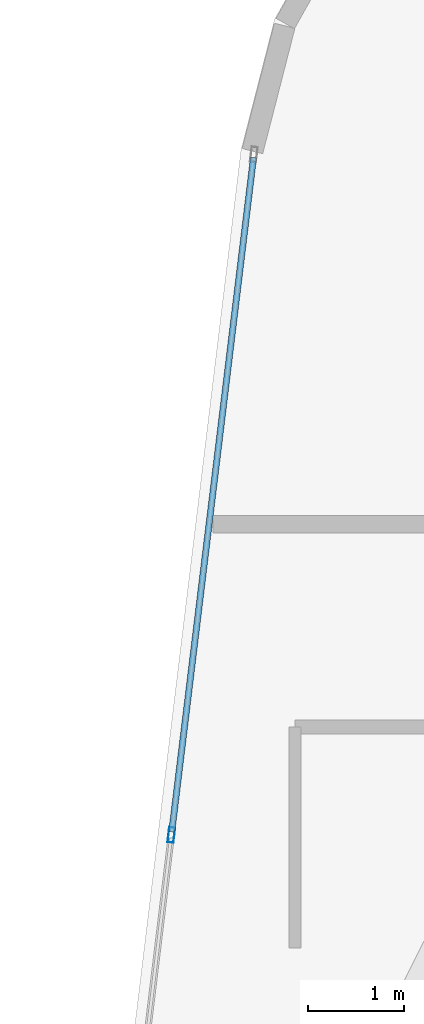
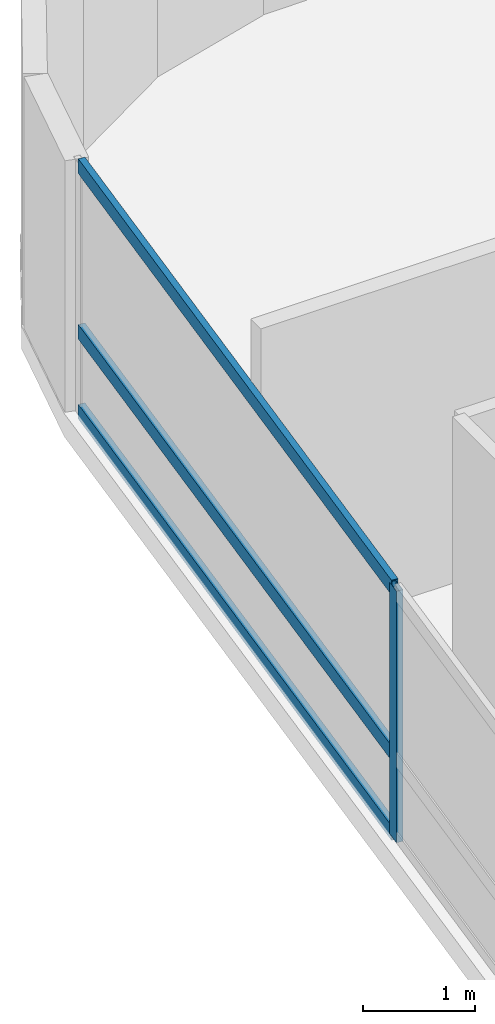
# One storey, part 10 of 26: 4 members, 1 element without a shape of its own.
"""IFC4 building model written with IfcOpenShell, lengths in metres."""

import ifcopenshell
import ifcopenshell.guid

model = None  # the IFC model being written
_history = None  # IfcOwnerHistory: only IFC2X3 demands one
_inside = {}  # id of a spatial element -> (the spatial element, [elements in it])
_under = {}  # id of a project, library or spatial element -> (it, [spatial elements below it])
_declared = {}  # id of a project -> (the project, [libraries it declares])
_typed = {}  # id of a type object -> (the type object, [elements of that type])
_made_of = {}  # id of a material, layer set ... -> (it, [elements and type objects made of it])


def new_model(schema):
    """Start an empty IFC model of exactly this schema.

    Asked for "IFC4X3", IfcOpenShell would pick the latest addendum, in which some entities
    have other attributes; the version numbers below select the first issue.
    IFC2X3 requires an IfcOwnerHistory on every rooted entity: one is made here for all.
    """
    global model, _history
    if schema == "IFC4X3":
        model = ifcopenshell.file(schema_version=(4, 3, 0, 0))
    else:
        model = ifcopenshell.file(schema=schema)
    _inside.clear()
    _under.clear()
    _declared.clear()
    _typed.clear()
    _made_of.clear()
    _history = None
    if model.schema == "IFC2X3":
        org = make("IfcOrganization", Name="unknown")
        user = make(
            "IfcPersonAndOrganization",
            ThePerson=make("IfcPerson", FamilyName="unknown"),
            TheOrganization=org,
        )
        app = make(
            "IfcApplication",
            ApplicationDeveloper=org,
            Version="unknown",
            ApplicationFullName="unknown",
            ApplicationIdentifier="unknown",
        )
        _history = make(
            "IfcOwnerHistory",
            OwningUser=user,
            OwningApplication=app,
            ChangeAction="ADDED",
            CreationDate=0,
        )
    return model


def make(cls, **values):
    """One entity of the class cls with the attributes given. An attribute that is None is left unset."""
    return model.create_entity(
        cls, **{name: value for name, value in values.items() if value is not None}
    )


def rooted(cls, **values):
    """An entity with a GlobalId (a new one), such as an element, a storey or a relation."""
    return make(cls, GlobalId=ifcopenshell.guid.new(), OwnerHistory=_history, **values)


def si_unit(unit_type, name, prefix=None):
    """IfcSIUnit, for example si_unit("LENGTHUNIT", "METRE", prefix="MILLI")."""
    return make("IfcSIUnit", UnitType=unit_type, Prefix=prefix, Name=name)


def assignment(units):
    """IfcUnitAssignment: the units of a project."""
    return None if units is None else make("IfcUnitAssignment", Units=units)


def point(xyz):
    """IfcCartesianPoint."""
    return None if xyz is None else make("IfcCartesianPoint", Coordinates=xyz)


def direction(xyz):
    """IfcDirection."""
    return None if xyz is None else make("IfcDirection", DirectionRatios=xyz)


def frame(location, z_axis=None, x_axis=None):
    """IfcAxis2Placement3D, a coordinate frame: its origin and axes. An axis left out is left unset."""
    return make(
        "IfcAxis2Placement3D",
        Location=point(location),
        Axis=direction(z_axis),
        RefDirection=direction(x_axis),
    )


def frame_2d(location, x_axis=None):
    """IfcAxis2Placement2D, a coordinate frame in the plane: its origin and x axis."""
    return make(
        "IfcAxis2Placement2D", Location=point(location), RefDirection=direction(x_axis)
    )


def origin():
    """The frame at (0, 0, 0) with its axes left unset."""
    return frame((0.0, 0.0, 0.0))


def origin_2d():
    """The frame at (0, 0) in the plane with its x axis left unset."""
    return frame_2d((0.0, 0.0))


def place(relative_to, where):
    """IfcLocalPlacement: puts the frame where relative to a parent placement (None: the world)."""
    return make(
        "IfcLocalPlacement", PlacementRelTo=relative_to, RelativePlacement=where
    )


def context(
    kind, dimensions, precision=None, world=None, true_north=None, identifier=None
):
    """IfcGeometricRepresentationContext, for example the 3D "Model" context."""
    return make(
        "IfcGeometricRepresentationContext",
        ContextIdentifier=identifier,
        ContextType=kind,
        CoordinateSpaceDimension=dimensions,
        Precision=precision,
        WorldCoordinateSystem=world,
        TrueNorth=true_north,
    )


def subcontext(parent, identifier, kind, view, scale=None):
    """IfcGeometricRepresentationSubContext, for example "Body" below "Model"."""
    return make(
        "IfcGeometricRepresentationSubContext",
        ContextIdentifier=identifier,
        ContextType=kind,
        ParentContext=parent,
        TargetScale=scale,
        TargetView=view,
    )


def project(units=None, contexts=None):
    """IfcProject with its units and contexts."""
    return rooted(
        "IfcProject",
        Name="project",
        RepresentationContexts=contexts,
        UnitsInContext=assignment(units),
    )


def spatial(cls, under=None, at=None, **own):
    """A site, building, storey or space (cls), placed at a placement, below another one or the project."""
    s = rooted(cls, ObjectPlacement=at, **own)
    if under is not None:
        _under.setdefault(under.id(), (under, []))[1].append(s)
    return s


def profile(cls, at=None, kind="AREA", **sizes):
    """A parametric profile (cls). Its sizes go by their IFC names, for example OverallWidth=200.0."""
    return make(cls, ProfileType=kind, Position=at, **sizes)


def hollow_rectangle(**sizes):
    """IfcRectangleHollowProfileDef."""
    return profile("IfcRectangleHollowProfileDef", **sizes)


def extrude(swept, where, along, depth):
    """IfcExtrudedAreaSolid: the profile swept, set in the frame where, extruded along a direction by depth."""
    return make(
        "IfcExtrudedAreaSolid",
        SweptArea=swept,
        Position=where,
        ExtrudedDirection=direction(along),
        Depth=depth,
    )


def shape(context_of_items, identifier, shape_type, items):
    """IfcShapeRepresentation: the items that make up one representation, for example the "Body"."""
    return make(
        "IfcShapeRepresentation",
        ContextOfItems=context_of_items,
        RepresentationIdentifier=identifier,
        RepresentationType=shape_type,
        Items=items,
    )


def material(Name=None, Category=None):
    """IfcMaterial."""
    return make("IfcMaterial", Name=Name, Category=Category)


def layer(
    of_material, thickness, ventilated=None, Name=None, Category=None, Priority=None
):
    """IfcMaterialLayer: one layer of a wall or slab, of a material (None: an air gap)."""
    return make(
        "IfcMaterialLayer",
        Material=of_material,
        LayerThickness=thickness,
        IsVentilated=ventilated,
        Name=Name,
        Category=Category,
        Priority=Priority,
    )


def layer_set(layers, Name=None):
    """IfcMaterialLayerSet."""
    return make("IfcMaterialLayerSet", MaterialLayers=layers, LayerSetName=Name)


def material_profile(
    of_material, cross_section, Name=None, Category=None, Priority=None
):
    """IfcMaterialProfile: a cross section and its material."""
    return make(
        "IfcMaterialProfile",
        Name=Name,
        Material=of_material,
        Profile=cross_section,
        Priority=Priority,
        Category=Category,
    )


def profile_set(profiles, Name=None, composite=None):
    """IfcMaterialProfileSet."""
    return make(
        "IfcMaterialProfileSet",
        Name=Name,
        MaterialProfiles=profiles,
        CompositeProfile=composite,
    )


def made_of(thing, what):
    """Note that an element or type object is made of a material, layer set ...; save() writes the relation."""
    if what is not None:
        _made_of.setdefault(what.id(), (what, []))[1].append(thing)
    return thing


def type_object(cls, material=None, **own):
    """A type object (cls), such as IfcWallType, which elements share."""
    return made_of(rooted(cls, **own), material)


def element(
    cls,
    number,
    at=None,
    inside=None,
    cuts=None,
    type_object=None,
    material=None,
    context=None,
    identifier="Body",
    shape_type=None,
    held_by="IfcProductDefinitionShape",
    body=None,
    shapes=None,
    **own,
):
    """One element of the class cls, such as IfcWall. Its Tag is "e" and its number.

    at: its placement. inside: the storey or other place that contains it. cuts: it is an
    opening in that element (IfcRelVoidsElement). A single representation is given by context,
    identifier, shape_type and body (its items); several are given by shapes. held_by: the class
    of the entity that holds the representations. save() writes the other relations.
    """
    e = rooted(cls, Tag="e%d" % number, ObjectPlacement=at, **own)
    if body is not None:
        shapes = [shape(context, identifier, shape_type, body)]
    if shapes is not None:
        e.Representation = make(held_by, Representations=shapes)
    if inside is not None:
        _inside.setdefault(inside.id(), (inside, []))[1].append(e)
    if cuts is not None:
        rooted(
            "IfcRelVoidsElement", RelatingBuildingElement=cuts, RelatedOpeningElement=e
        )
    if type_object is not None:
        _typed.setdefault(type_object.id(), (type_object, []))[1].append(e)
    return made_of(e, material)


def aggregate(whole, parts):
    """IfcRelAggregates: a whole, such as a stair, and the parts it consists of."""
    return rooted("IfcRelAggregates", RelatingObject=whole, RelatedObjects=parts)


def save(model, path):
    """Write the relations noted so far, then the file.

    IfcRelAggregates (storeys below a building ...), IfcRelContainedInSpatialStructure (elements
    in a storey), IfcRelDefinesByType, IfcRelAssociatesMaterial and IfcRelDeclares: one each for
    every whole, place, type object, material and project.
    """
    for whole, parts in _under.values():
        aggregate(whole, parts)
    for where, things in _inside.values():
        rooted(
            "IfcRelContainedInSpatialStructure",
            RelatedElements=things,
            RelatingStructure=where,
        )
    for kind, things in _typed.values():
        rooted("IfcRelDefinesByType", RelatedObjects=things, RelatingType=kind)
    for what, things in _made_of.values():
        rooted("IfcRelAssociatesMaterial", RelatedObjects=things, RelatingMaterial=what)
    for by, libraries in _declared.values():
        rooted("IfcRelDeclares", RelatingContext=by, RelatedDefinitions=libraries)
    model.write(path)


model = new_model("IFC4")

# Units and contexts
model_context = context("Model", 3, precision=1e-05, world=origin(), true_north=direction((0.0, 1.0)))
body_context = subcontext(model_context, "Body", "Model", "MODEL_VIEW")
ifc_project = project(units=[si_unit("LENGTHUNIT", "METRE"), si_unit("AREAUNIT", "SQUARE_METRE"), si_unit("VOLUMEUNIT", "CUBIC_METRE"), si_unit("PLANEANGLEUNIT", "RADIAN"), si_unit("MASSUNIT", "GRAM", prefix="KILO")], contexts=[model_context])

# Site, building, storey
site_placement = place(None, origin())
site = spatial("IfcSite", under=ifc_project, at=site_placement, CompositionType="ELEMENT")
building_placement = place(site_placement, origin())
building = spatial("IfcBuilding", under=site, at=building_placement, Name="Varnelok Gate Tower", CompositionType="ELEMENT")
storey_placement = place(building_placement, frame((0.0, 0.0, 143.89990234375)))
storey = spatial("IfcBuildingStorey", under=building, at=storey_placement, Name="L36", CompositionType="ELEMENT", Elevation=143.89990234375)

# Curtain wall, members
ifc_material = material(Name="Anodized Aluminum Alloy 6063-T6", Category="aluminium")
ifc_layer = layer(ifc_material, 0.179931640625)
ifc_layer_set = layer_set([ifc_layer], Name="Anodized Aluminum Alloy 6063-T6")
curtain_wall_type = type_object("IfcCurtainWallType", Name="CW3-HOTEL-VISION", PredefinedType="USERDEFINED", material=ifc_layer_set)
curtain_wall_placement = place(storey_placement, origin())
curtain_wall = element("IfcCurtainWall", 1, at=curtain_wall_placement, inside=storey, type_object=curtain_wall_type, Name="L36 West End Vision Curtain Wall", ObjectType="UNITISED CURTAIN WALL", PredefinedType="USERDEFINED")
ifc_material_profile_1 = material_profile(ifc_material, hollow_rectangle(XDim=0.06494140625, YDim=0.159912109375, WallThickness=0.00390625, at=origin_2d()), Name="ALU160X65X4")
ifc_profile_set_1 = profile_set([ifc_material_profile_1], Name="Anodized Aluminum Alloy 6063-T6")
member_type_1 = type_object("IfcMemberType", Name="CW-MULL-160", PredefinedType="MULLION", material=ifc_profile_set_1)
member_1_placement = place(storey_placement, frame((3.708984375, 40.4814453125, 0.0), z_axis=(0.0, 0.0, 1.0), x_axis=(-0.99273188146, 0.120347046212, 0.0)))
member_1 = element("IfcMember", 2, at=member_1_placement, type_object=member_type_1, Name="CW3 mullion 5", PredefinedType="MULLION", context=body_context, shape_type="SweptSolid", body=[
    extrude(hollow_rectangle(XDim=0.06494140625, YDim=0.159912109375, WallThickness=0.00390625, at=origin_2d()), origin(), (0.0, 0.0, 1.0), 2.72998046875),
])
ifc_material_profile_2 = material_profile(ifc_material, hollow_rectangle(XDim=0.06494140625, YDim=0.159912109375, WallThickness=0.00390625, at=origin_2d()), Name="ALU160X65X4")
ifc_profile_set_2 = profile_set([ifc_material_profile_2], Name="Anodized Aluminum Alloy 6063-T6")
member_type_2 = type_object("IfcMemberType", Name="CW-TRAN-160", PredefinedType="USERDEFINED", material=ifc_profile_set_2)
member_2_placement = place(storey_placement, frame((3.712890625, 40.513671875, 0.03271484375), z_axis=(0.120374481497, 0.992728555147, 0.0), x_axis=(-0.992728555147, 0.120374481497, 0.0)))
member_2 = element("IfcMember", 3, at=member_2_placement, type_object=member_type_2, Name="CW3 transom 5.1", ObjectType="TRANSOM", PredefinedType="USERDEFINED", context=body_context, shape_type="SweptSolid", body=[
    extrude(hollow_rectangle(XDim=0.06494140625, YDim=0.159912109375, WallThickness=0.00390625, at=origin_2d()), origin(), (0.0, 0.0, 1.0), 7.102783203125),
])
member_3_placement = place(storey_placement, frame((3.712890625, 40.513671875, 0.900146484375), z_axis=(0.120374481497, 0.992728555147, 0.0), x_axis=(-0.992728555147, 0.120374481497, 0.0)))
member_3 = element("IfcMember", 4, at=member_3_placement, type_object=member_type_2, Name="CW3 transom 5.2", ObjectType="TRANSOM", PredefinedType="USERDEFINED", context=body_context, shape_type="SweptSolid", body=[
    extrude(hollow_rectangle(XDim=0.06494140625, YDim=0.159912109375, WallThickness=0.00390625, at=origin_2d()), origin(), (0.0, 0.0, 1.0), 7.102783203125),
])
member_4_placement = place(storey_placement, frame((3.712890625, 40.513671875, 2.697509765625), z_axis=(0.120374481497, 0.992728555147, 0.0), x_axis=(-0.992728555147, 0.120374481497, 0.0)))
member_4 = element("IfcMember", 5, at=member_4_placement, type_object=member_type_2, Name="CW3 transom 5.3", ObjectType="TRANSOM", PredefinedType="USERDEFINED", context=body_context, shape_type="SweptSolid", body=[
    extrude(hollow_rectangle(XDim=0.06494140625, YDim=0.159912109375, WallThickness=0.00390625, at=origin_2d()), origin(), (0.0, 0.0, 1.0), 7.102783203125),
])
aggregate(curtain_wall, [member_1, member_2, member_3, member_4])

save(model, "model.ifc")
